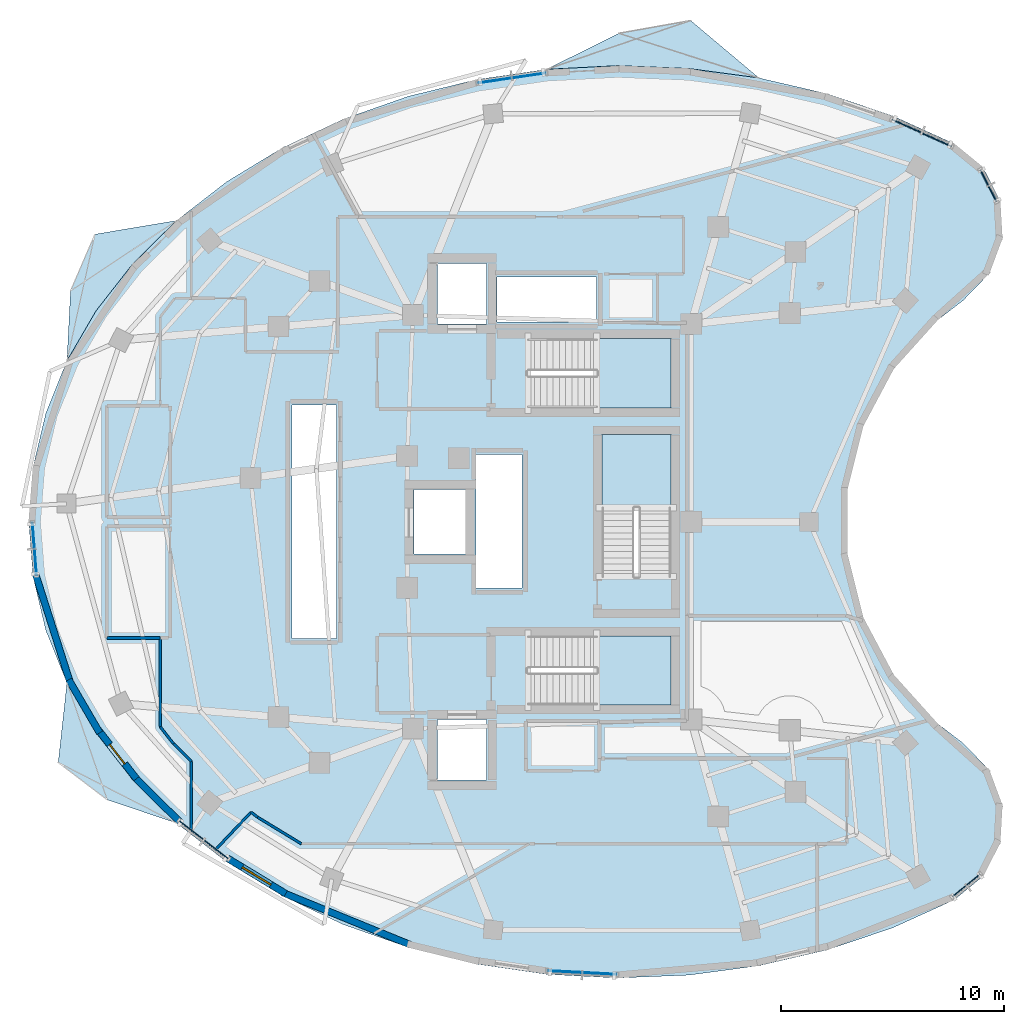
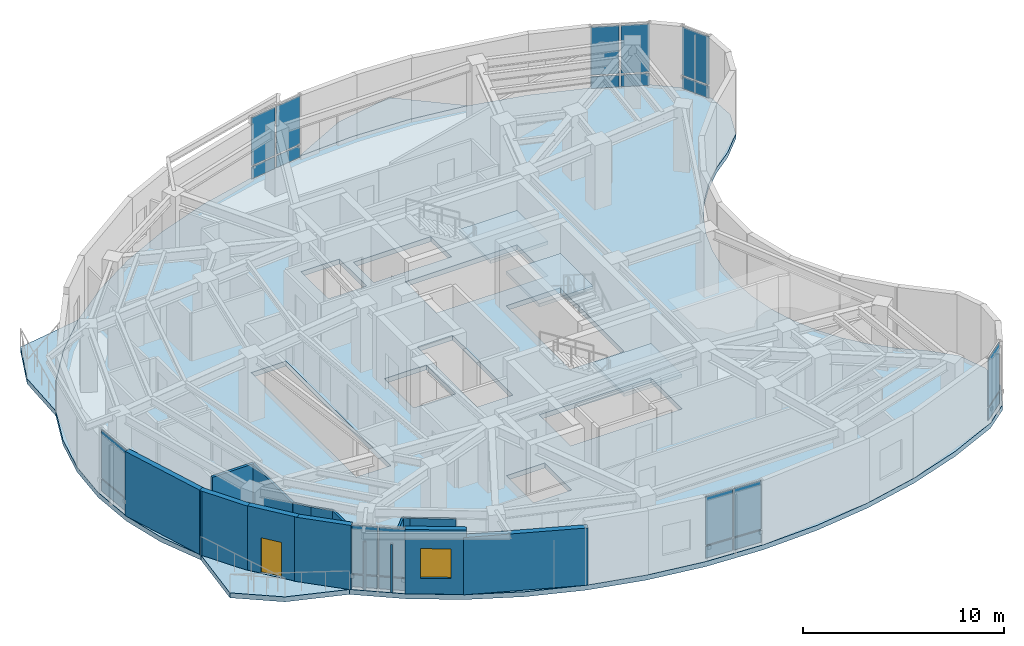
# One storey, part 6 of 13: 22 plates, 14 walls, 7 slabs, 1 door, 1 window, 2 openings, 10 elements without a shape of their own.
"""IFC4 building model written with IfcOpenShell, lengths in metres."""

from ifc_helpers import new_model, si_unit, direction, frame, frame_2d, origin, origin_2d, place, context, subcontext, project, spatial, polyline, rectangle, outline, extrude, material, layer, layer_set, type_object, element, fill, aggregate, save


model = new_model("IFC4")

# Units and contexts
model_context = context("Model", 3, precision=1e-05, world=origin(), true_north=direction((0.0, 1.0)))
body_context = subcontext(model_context, "Body", "Model", "MODEL_VIEW")
ifc_project = project(units=[si_unit("LENGTHUNIT", "METRE"), si_unit("AREAUNIT", "SQUARE_METRE"), si_unit("VOLUMEUNIT", "CUBIC_METRE"), si_unit("PLANEANGLEUNIT", "RADIAN"), si_unit("MASSUNIT", "GRAM", prefix="KILO")], contexts=[model_context])

# Site, building, storey
site_placement = place(None, origin())
site = spatial("IfcSite", under=ifc_project, at=site_placement, CompositionType="ELEMENT")
building_placement = place(site_placement, origin())
building = spatial("IfcBuilding", under=site, at=building_placement, Name="Korentha Bioscience Tower", CompositionType="ELEMENT")
storey_placement = place(building_placement, frame((0.0, 0.0, 268.800048828125)))
storey = spatial("IfcBuildingStorey", under=building, at=storey_placement, Name="L62", CompositionType="ELEMENT", Elevation=268.800048828125)

# Curtain wall, plates
ifc_material_1 = material(Name="Thermally Broken Aluminium Frame", Category="aluminium")
ifc_layer_1 = layer(ifc_material_1, 0.219970703125, Name="Thermally Broken Aluminium Frame")
ifc_layer_set_1 = layer_set([ifc_layer_1], Name="Thermally Broken Aluminium Frame (CW-T2)")
curtain_wall_type = type_object("IfcCurtainWallType", Name="Solar-Screened Lab Unitised Curtain Wall CW-T2", PredefinedType="USERDEFINED", material=ifc_layer_set_1)
curtain_wall_1_placement = place(storey_placement, origin())
curtain_wall_1 = element("IfcCurtainWall", 1, at=curtain_wall_1_placement, inside=storey, type_object=curtain_wall_type, Name="L62 Curtain Wall 01", ObjectType="UNITISED", PredefinedType="USERDEFINED")
ifc_material_2 = material(Name="Triple-Glazed Low-E Insulated Glass", Category="glass")
ifc_layer_2 = layer(ifc_material_2, 0.0439453125, Name="Triple-Glazed Low-E Insulated Glass")
ifc_layer_set_2 = layer_set([ifc_layer_2], Name="Triple-Glazed Low-E Insulated Glass (GL-44)")
plate_type = type_object("IfcPlateType", Name="Glazed Panel 44mm", PredefinedType="CURTAIN_PANEL", material=ifc_layer_set_2)
plate_1_placement = place(storey_placement, frame((48.554931640625, 44.091064453125, 0.08984375), z_axis=(0.0, 0.0, 1.0), x_axis=(-0.910604060449, 0.413279862918, 0.0)))
plate_1 = element("IfcPlate", 2, at=plate_1_placement, type_object=plate_type, Name="CW-L62-01 Bay 1 Glazed Panel 1", PredefinedType="CURTAIN_PANEL", context=body_context, shape_type="SweptSolid", body=[
    extrude(rectangle(XDim=1.41357421875, YDim=0.0439453125, at=origin_2d()), origin(), (0.0, 0.0, 1.0), 0.715087890625),
])
plate_2_placement = place(storey_placement, frame((48.554931640625, 44.091064453125, 0.89501953125), z_axis=(0.0, 0.0, 1.0), x_axis=(-0.910604060449, 0.413279862918, 0.0)))
plate_2 = element("IfcPlate", 3, at=plate_2_placement, type_object=plate_type, Name="CW-L62-01 Bay 1 Glazed Panel 2", PredefinedType="CURTAIN_PANEL", context=body_context, shape_type="SweptSolid", body=[
    extrude(rectangle(XDim=1.41357421875, YDim=0.0439453125, at=origin_2d()), origin(), (0.0, 0.0, 1.0), 2.9150390625),
])
plate_3_placement = place(storey_placement, frame((47.185791015625, 44.71240234375, 0.08984375), z_axis=(0.0, 0.0, 1.0), x_axis=(-0.910604060449, 0.413279862918, 0.0)))
plate_3 = element("IfcPlate", 4, at=plate_3_placement, type_object=plate_type, Name="CW-L62-01 Bay 2 Glazed Panel 1", PredefinedType="CURTAIN_PANEL", context=body_context, shape_type="SweptSolid", body=[
    extrude(rectangle(XDim=1.41357421875, YDim=0.0439453125, at=origin_2d()), origin(), (0.0, 0.0, 1.0), 0.715087890625),
])
plate_4_placement = place(storey_placement, frame((47.185791015625, 44.71240234375, 0.89501953125), z_axis=(0.0, 0.0, 1.0), x_axis=(-0.910604060449, 0.413279862918, 0.0)))
plate_4 = element("IfcPlate", 5, at=plate_4_placement, type_object=plate_type, Name="CW-L62-01 Bay 2 Glazed Panel 2", PredefinedType="CURTAIN_PANEL", context=body_context, shape_type="SweptSolid", body=[
    extrude(rectangle(XDim=1.41357421875, YDim=0.0439453125, at=origin_2d()), origin(), (0.0, 0.0, 1.0), 2.9150390625),
])
aggregate(curtain_wall_1, [plate_1, plate_2, plate_3, plate_4])

curtain_wall_2_placement = place(storey_placement, origin())
curtain_wall_2 = element("IfcCurtainWall", 6, at=curtain_wall_2_placement, inside=storey, type_object=curtain_wall_type, Name="L62 Curtain Wall 07", ObjectType="UNITISED", PredefinedType="USERDEFINED")
plate_5_placement = place(storey_placement, frame((30.309814453125, 46.9736328125, 0.08984375), z_axis=(0.0, 0.0, 1.0), x_axis=(-0.989459665324, -0.144808738328, 0.0)))
plate_5 = element("IfcPlate", 7, at=plate_5_placement, type_object=plate_type, Name="CW-L62-07 Bay 1 Glazed Panel 1", PredefinedType="CURTAIN_PANEL", context=body_context, shape_type="SweptSolid", body=[
    extrude(rectangle(XDim=1.489013671875, YDim=0.0439453125, at=origin_2d()), origin(), (0.0, 0.0, 1.0), 0.715087890625),
])
plate_6_placement = place(storey_placement, frame((30.309814453125, 46.9736328125, 0.89501953125), z_axis=(0.0, 0.0, 1.0), x_axis=(-0.989459665324, -0.144808738328, 0.0)))
plate_6 = element("IfcPlate", 8, at=plate_6_placement, type_object=plate_type, Name="CW-L62-07 Bay 1 Glazed Panel 2", PredefinedType="CURTAIN_PANEL", context=body_context, shape_type="SweptSolid", body=[
    extrude(rectangle(XDim=1.489013671875, YDim=0.0439453125, at=origin_2d()), origin(), (0.0, 0.0, 1.0), 2.9150390625),
])
plate_7_placement = place(storey_placement, frame((28.74755859375, 46.7451171875, 0.08984375), z_axis=(0.0, 0.0, 1.0), x_axis=(-0.989459665324, -0.144808738328, 0.0)))
plate_7 = element("IfcPlate", 9, at=plate_7_placement, type_object=plate_type, Name="CW-L62-07 Bay 2 Glazed Panel 1", PredefinedType="CURTAIN_PANEL", context=body_context, shape_type="SweptSolid", body=[
    extrude(rectangle(XDim=1.489013671875, YDim=0.0439453125, at=origin_2d()), origin(), (0.0, 0.0, 1.0), 0.715087890625),
])
plate_8_placement = place(storey_placement, frame((28.74755859375, 46.7451171875, 0.89501953125), z_axis=(0.0, 0.0, 1.0), x_axis=(-0.989459665324, -0.144808738328, 0.0)))
plate_8 = element("IfcPlate", 10, at=plate_8_placement, type_object=plate_type, Name="CW-L62-07 Bay 2 Glazed Panel 2", PredefinedType="CURTAIN_PANEL", context=body_context, shape_type="SweptSolid", body=[
    extrude(rectangle(XDim=1.489013671875, YDim=0.0439453125, at=origin_2d()), origin(), (0.0, 0.0, 1.0), 2.9150390625),
])
aggregate(curtain_wall_2, [plate_5, plate_6, plate_7, plate_8])

curtain_wall_3_placement = place(storey_placement, origin())
curtain_wall_3 = element("IfcCurtainWall", 11, at=curtain_wall_3_placement, inside=storey, type_object=curtain_wall_type, Name="L62 Curtain Wall 19", ObjectType="UNITISED", PredefinedType="USERDEFINED")
plate_9_placement = place(storey_placement, frame((8.164306640625, 25.7880859375, 0.08984375), z_axis=(0.0, 0.0, 1.0), x_axis=(0.078035250492, -0.996950600421, 0.0)))
plate_9 = element("IfcPlate", 12, at=plate_9_placement, type_object=plate_type, Name="CW-L62-19 Bay 1 Glazed Panel 1", PredefinedType="CURTAIN_PANEL", context=body_context, shape_type="SweptSolid", body=[
    extrude(rectangle(XDim=2.35595703125, YDim=0.0439453125, at=origin_2d()), origin(), (0.0, 0.0, 1.0), 0.715087890625),
])
plate_10_placement = place(storey_placement, frame((8.164306640625, 25.7880859375, 0.89501953125), z_axis=(0.0, 0.0, 1.0), x_axis=(0.078035250492, -0.996950600421, 0.0)))
plate_10 = element("IfcPlate", 13, at=plate_10_placement, type_object=plate_type, Name="CW-L62-19 Bay 1 Glazed Panel 2", PredefinedType="CURTAIN_PANEL", context=body_context, shape_type="SweptSolid", body=[
    extrude(rectangle(XDim=2.35595703125, YDim=0.0439453125, at=origin_2d()), origin(), (0.0, 0.0, 1.0), 2.9150390625),
])
aggregate(curtain_wall_3, [plate_9, plate_10])

curtain_wall_4_placement = place(storey_placement, origin())
curtain_wall_4 = element("IfcCurtainWall", 14, at=curtain_wall_4_placement, inside=storey, type_object=curtain_wall_type, Name="L62 Curtain Wall 25", ObjectType="UNITISED", PredefinedType="USERDEFINED")
plate_11_placement = place(storey_placement, frame((15.185791015625, 13.20751953125, 0.08984375), z_axis=(0.0, 0.0, 1.0), x_axis=(0.790487520139, -0.612478146961, 0.0)))
plate_11 = element("IfcPlate", 15, at=plate_11_placement, type_object=plate_type, Name="CW-L62-25 Bay 1 Glazed Panel 1", PredefinedType="CURTAIN_PANEL", context=body_context, shape_type="SweptSolid", body=[
    extrude(rectangle(XDim=1.326416015625, YDim=0.0439453125, at=origin_2d()), origin(), (0.0, 0.0, 1.0), 0.715087890625),
])
plate_12_placement = place(storey_placement, frame((15.185791015625, 13.20751953125, 0.89501953125), z_axis=(0.0, 0.0, 1.0), x_axis=(0.790487520139, -0.612478146961, 0.0)))
plate_12 = element("IfcPlate", 16, at=plate_12_placement, type_object=plate_type, Name="CW-L62-25 Bay 1 Glazed Panel 2", PredefinedType="CURTAIN_PANEL", context=body_context, shape_type="SweptSolid", body=[
    extrude(rectangle(XDim=1.326416015625, YDim=0.0439453125, at=origin_2d()), origin(), (0.0, 0.0, 1.0), 2.9150390625),
])
plate_13_placement = place(storey_placement, frame((16.305419921875, 12.33984375, 0.08984375), z_axis=(0.0, 0.0, 1.0), x_axis=(0.790487520139, -0.612478146961, 0.0)))
plate_13 = element("IfcPlate", 17, at=plate_13_placement, type_object=plate_type, Name="CW-L62-25 Bay 2 Glazed Panel 1", PredefinedType="CURTAIN_PANEL", context=body_context, shape_type="SweptSolid", body=[
    extrude(rectangle(XDim=1.326416015625, YDim=0.0439453125, at=origin_2d()), origin(), (0.0, 0.0, 1.0), 0.715087890625),
])
plate_14_placement = place(storey_placement, frame((16.305419921875, 12.33984375, 0.89501953125), z_axis=(0.0, 0.0, 1.0), x_axis=(0.790487520139, -0.612478146961, 0.0)))
plate_14 = element("IfcPlate", 18, at=plate_14_placement, type_object=plate_type, Name="CW-L62-25 Bay 2 Glazed Panel 2", PredefinedType="CURTAIN_PANEL", context=body_context, shape_type="SweptSolid", body=[
    extrude(rectangle(XDim=1.326416015625, YDim=0.0439453125, at=origin_2d()), origin(), (0.0, 0.0, 1.0), 2.9150390625),
])
aggregate(curtain_wall_4, [plate_11, plate_12, plate_13, plate_14])

curtain_wall_5_placement = place(storey_placement, origin())
curtain_wall_5 = element("IfcCurtainWall", 19, at=curtain_wall_5_placement, inside=storey, type_object=curtain_wall_type, Name="L62 Curtain Wall 31", ObjectType="UNITISED", PredefinedType="USERDEFINED")
plate_15_placement = place(storey_placement, frame((31.87939453125, 6.87109375, 0.08984375), z_axis=(0.0, 0.0, 1.0), x_axis=(0.998636113937, -0.052210266622, 0.0)))
plate_15 = element("IfcPlate", 20, at=plate_15_placement, type_object=plate_type, Name="CW-L62-31 Bay 1 Glazed Panel 1", PredefinedType="CURTAIN_PANEL", context=body_context, shape_type="SweptSolid", body=[
    extrude(rectangle(XDim=1.498779296875, YDim=0.0439453125, at=origin_2d()), origin(), (0.0, 0.0, 1.0), 0.715087890625),
])
plate_16_placement = place(storey_placement, frame((31.87939453125, 6.87109375, 0.89501953125), z_axis=(0.0, 0.0, 1.0), x_axis=(0.998636113937, -0.052210266622, 0.0)))
plate_16 = element("IfcPlate", 21, at=plate_16_placement, type_object=plate_type, Name="CW-L62-31 Bay 1 Glazed Panel 2", PredefinedType="CURTAIN_PANEL", context=body_context, shape_type="SweptSolid", body=[
    extrude(rectangle(XDim=1.498779296875, YDim=0.0439453125, at=origin_2d()), origin(), (0.0, 0.0, 1.0), 2.9150390625),
])
plate_17_placement = place(storey_placement, frame((33.466064453125, 6.7880859375, 0.08984375), z_axis=(0.0, 0.0, 1.0), x_axis=(0.998636113937, -0.052210266622, 0.0)))
plate_17 = element("IfcPlate", 22, at=plate_17_placement, type_object=plate_type, Name="CW-L62-31 Bay 2 Glazed Panel 1", PredefinedType="CURTAIN_PANEL", context=body_context, shape_type="SweptSolid", body=[
    extrude(rectangle(XDim=1.498779296875, YDim=0.0439453125, at=origin_2d()), origin(), (0.0, 0.0, 1.0), 0.715087890625),
])
plate_18_placement = place(storey_placement, frame((33.466064453125, 6.7880859375, 0.89501953125), z_axis=(0.0, 0.0, 1.0), x_axis=(0.998636113937, -0.052210266622, 0.0)))
plate_18 = element("IfcPlate", 23, at=plate_18_placement, type_object=plate_type, Name="CW-L62-31 Bay 2 Glazed Panel 2", PredefinedType="CURTAIN_PANEL", context=body_context, shape_type="SweptSolid", body=[
    extrude(rectangle(XDim=1.498779296875, YDim=0.0439453125, at=origin_2d()), origin(), (0.0, 0.0, 1.0), 2.9150390625),
])
aggregate(curtain_wall_5, [plate_15, plate_16, plate_17, plate_18])

curtain_wall_6_placement = place(storey_placement, origin())
curtain_wall_6 = element("IfcCurtainWall", 24, at=curtain_wall_6_placement, inside=storey, type_object=curtain_wall_type, Name="L62 Curtain Wall 37", ObjectType="UNITISED", PredefinedType="USERDEFINED")
plate_19_placement = place(storey_placement, frame((49.85986328125, 10.732177734375, 0.08984375), z_axis=(0.0, 0.0, 1.0), x_axis=(0.774235415138, 0.632897718393, 0.0)))
plate_19 = element("IfcPlate", 25, at=plate_19_placement, type_object=plate_type, Name="CW-L62-37 Bay 1 Glazed Panel 1", PredefinedType="CURTAIN_PANEL", context=body_context, shape_type="SweptSolid", body=[
    extrude(rectangle(XDim=1.581787109375, YDim=0.0439453125, at=origin_2d()), origin(), (0.0, 0.0, 1.0), 0.715087890625),
])
plate_20_placement = place(storey_placement, frame((49.85986328125, 10.732177734375, 0.89501953125), z_axis=(0.0, 0.0, 1.0), x_axis=(0.774235415138, 0.632897718393, 0.0)))
plate_20 = element("IfcPlate", 26, at=plate_20_placement, type_object=plate_type, Name="CW-L62-37 Bay 1 Glazed Panel 2", PredefinedType="CURTAIN_PANEL", context=body_context, shape_type="SweptSolid", body=[
    extrude(rectangle(XDim=1.581787109375, YDim=0.0439453125, at=origin_2d()), origin(), (0.0, 0.0, 1.0), 2.9150390625),
])
aggregate(curtain_wall_6, [plate_19, plate_20])

curtain_wall_7_placement = place(storey_placement, origin())
curtain_wall_7 = element("IfcCurtainWall", 27, at=curtain_wall_7_placement, inside=storey, type_object=curtain_wall_type, Name="L62 Curtain Wall 61", ObjectType="UNITISED", PredefinedType="USERDEFINED")
plate_21_placement = place(storey_placement, frame((50.8515625, 42.037841796875, 0.08984375), z_axis=(0.0, 0.0, 1.0), x_axis=(-0.454238686477, 0.890880023184, 0.0)))
plate_21 = element("IfcPlate", 28, at=plate_21_placement, type_object=plate_type, Name="CW-L62-61 Bay 1 Glazed Panel 1", PredefinedType="CURTAIN_PANEL", context=body_context, shape_type="SweptSolid", body=[
    extrude(rectangle(XDim=1.58154296875, YDim=0.0439453125, at=origin_2d()), origin(), (0.0, 0.0, 1.0), 0.715087890625),
])
plate_22_placement = place(storey_placement, frame((50.8515625, 42.037841796875, 0.89501953125), z_axis=(0.0, 0.0, 1.0), x_axis=(-0.454238686477, 0.890880023184, 0.0)))
plate_22 = element("IfcPlate", 29, at=plate_22_placement, type_object=plate_type, Name="CW-L62-61 Bay 1 Glazed Panel 2", PredefinedType="CURTAIN_PANEL", context=body_context, shape_type="SweptSolid", body=[
    extrude(rectangle(XDim=1.58154296875, YDim=0.0439453125, at=origin_2d()), origin(), (0.0, 0.0, 1.0), 2.9150390625),
])
aggregate(curtain_wall_7, [plate_21, plate_22])

# Slab
ifc_material_3 = material(Name="Concrete C50", Category="concrete")
ifc_layer_3 = layer(ifc_material_3, 0.300048828125, Name="Concrete C50")
ifc_layer_set_3 = layer_set([ifc_layer_3], Name="Concrete C50 (SL-L300)")
slab_type_1 = type_object("IfcSlabType", Name="Laboratory Vibration-Controlled Slab 300", PredefinedType="FLOOR", material=ifc_layer_set_3)
slab_1_placement = place(storey_placement, frame((0.0, 0.0, -0.300048828125)))
element("IfcSlab", 30, at=slab_1_placement, inside=storey, type_object=slab_type_1, Name="L62 Tower Structural Floor Slab", PredefinedType="FLOOR", context=body_context, shape_type="SweptSolid", body=[
    extrude(outline(polyline([(49.310302734375, 43.924072265625), (46.562744140625, 45.1708984375), (43.640380859375, 46.15576171875), (40.58544921875, 46.86376953125), (37.4423828125, 47.284912109375), (34.256103515625, 47.413330078125), (31.07275390625, 47.2470703125), (27.9384765625, 46.788330078125), (24.898193359375, 46.0439453125), (21.99609375, 45.0244140625), (19.27392578125, 43.744873046875), (16.771240234375, 42.223388671875), (14.52392578125, 40.482177734375), (12.564453125, 38.54638671875), (10.921142578125, 36.443603515625), (9.61767578125, 34.20458984375), (8.673095703125, 31.86181640625), (8.1005859375, 29.448486328125), (7.908935546875, 27.0), (8.1005859375, 24.551513671875), (8.673095703125, 22.13818359375), (9.61767578125, 19.79541015625), (10.921142578125, 17.556396484375), (12.564453125, 15.45361328125), (14.52392578125, 13.517822265625), (16.771240234375, 11.776611328125), (19.27392578125, 10.255126953125), (21.99609375, 8.9755859375), (24.898193359375, 7.9560546875), (27.9384765625, 7.211669921875), (31.07275390625, 6.7529296875), (34.256103515625, 6.586669921875), (37.4423828125, 6.715087890625), (40.58544921875, 7.13623046875), (43.640380859375, 7.84423828125), (46.562744140625, 8.8291015625), (49.310302734375, 10.075927734375), (50.6123046875, 11.140380859375), (51.3759765625, 12.638671875), (51.47265625, 14.3173828125), (50.8857421875, 15.893310546875), (49.714599609375, 17.10009765625), (48.55810546875, 17.98779296875), (47.51806640625, 19.009765625), (46.6103515625, 20.15087890625), (45.8486328125, 21.393798828125), (45.243896484375, 22.720703125), (44.8056640625, 24.111083984375), (44.539794921875, 25.544677734375), (44.450927734375, 27.0), (44.539794921875, 28.455322265625), (44.8056640625, 29.888916015625), (45.243896484375, 31.279296875), (45.8486328125, 32.606201171875), (46.6103515625, 33.84912109375), (47.51806640625, 34.990234375), (48.55810546875, 36.01220703125), (49.714599609375, 36.89990234375), (50.8857421875, 38.106689453125), (51.47265625, 39.6826171875), (51.3759765625, 41.361328125), (50.6123046875, 42.859619140625), (49.310302734375, 43.924072265625)]), holes=[polyline([(30.25, 32.10009765625), (36.64990234375, 32.10009765625), (36.64990234375, 35.199951171875), (30.25, 35.199951171875), (30.25, 32.10009765625)]), polyline([(30.25, 18.800048828125), (36.64990234375, 18.800048828125), (36.64990234375, 21.89990234375), (30.25, 21.89990234375), (30.25, 18.800048828125)]), polyline([(36.64990234375, 24.550048828125), (36.64990234375, 30.89990234375), (33.550048828125, 30.89990234375), (33.550048828125, 24.550048828125), (36.64990234375, 24.550048828125)]), polyline([(19.679931640625, 21.780029296875), (21.669921875, 21.780029296875), (21.669921875, 32.219970703125), (19.679931640625, 32.219970703125), (19.679931640625, 21.780029296875)]), polyline([(27.929931640625, 24.030029296875), (29.969970703125, 24.030029296875), (29.969970703125, 30.02001953125), (27.929931640625, 30.02001953125), (27.929931640625, 24.030029296875)]), polyline([(28.860107421875, 35.93994140625), (33.31005859375, 35.93994140625), (33.31005859375, 37.9599609375), (28.860107421875, 37.9599609375), (28.860107421875, 35.93994140625)]), polyline([(26.199951171875, 15.449951171875), (28.39990234375, 15.449951171875), (28.39990234375, 18.14990234375), (26.199951171875, 18.14990234375), (26.199951171875, 15.449951171875)]), polyline([(26.199951171875, 35.85009765625), (28.39990234375, 35.85009765625), (28.39990234375, 38.550048828125), (26.199951171875, 38.550048828125), (26.199951171875, 35.85009765625)]), polyline([(25.14990234375, 25.550048828125), (27.550048828125, 25.550048828125), (27.550048828125, 28.449951171875), (25.14990234375, 28.449951171875), (25.14990234375, 25.550048828125)])]), origin(), (0.0, 0.0, 1.0), 0.300048828125),
])

# Stair, slab
ifc_material_4 = material(Name="Precast Concrete C50", Category="concrete")
stair_type = type_object("IfcStairType", Name="Core Exit Dog-Leg Stair 1450", PredefinedType="HALF_TURN_STAIR", material=ifc_material_4)
stair_1_placement = place(storey_placement, origin())
stair_1 = element("IfcStair", 31, at=stair_1_placement, inside=storey, type_object=stair_type, Name="L62 Tower North Pressurized Exit Stair ST-1", PredefinedType="HALF_TURN_STAIR")
ifc_layer_4 = layer(ifc_material_3, 0.199951171875, Name="Concrete C50")
ifc_layer_set_4 = layer_set([ifc_layer_4], Name="Concrete C50 (SL-LND)")
slab_type_2 = type_object("IfcSlabType", Name="Landing Slab 200", PredefinedType="LANDING", material=ifc_layer_set_4)
slab_2_placement = place(storey_placement, frame((0.0, 0.0, 1.89990234375)))
slab_2 = element("IfcSlab", 32, at=slab_2_placement, type_object=slab_type_2, Name="ST-1 landing 1", PredefinedType="LANDING", context=body_context, shape_type="SweptSolid", body=[
    extrude(outline(polyline([(33.330078125, 32.10009765625), (36.64990234375, 32.10009765625), (36.64990234375, 35.199951171875), (33.330078125, 35.199951171875), (33.330078125, 32.10009765625)])), origin(), (0.0, 0.0, 1.0), 0.199951171875),
])
aggregate(stair_1, [slab_2])

stair_2_placement = place(storey_placement, origin())
stair_2 = element("IfcStair", 33, at=stair_2_placement, inside=storey, type_object=stair_type, Name="L62 Tower South Pressurized Exit Stair ST-2", PredefinedType="HALF_TURN_STAIR")
slab_3_placement = place(storey_placement, frame((0.0, 0.0, 1.89990234375)))
slab_3 = element("IfcSlab", 34, at=slab_3_placement, type_object=slab_type_2, Name="ST-2 landing 1", PredefinedType="LANDING", context=body_context, shape_type="SweptSolid", body=[
    extrude(outline(polyline([(33.330078125, 18.800048828125), (36.64990234375, 18.800048828125), (36.64990234375, 21.89990234375), (33.330078125, 21.89990234375), (33.330078125, 18.800048828125)])), origin(), (0.0, 0.0, 1.0), 0.199951171875),
])
aggregate(stair_2, [slab_3])

stair_3_placement = place(storey_placement, origin())
stair_3 = element("IfcStair", 35, at=stair_3_placement, inside=storey, type_object=stair_type, Name="L62 Tower Central Pressurized Exit Stair ST-3", PredefinedType="HALF_TURN_STAIR")
slab_4_placement = place(storey_placement, frame((0.0, 0.0, 1.89990234375)))
slab_4 = element("IfcSlab", 36, at=slab_4_placement, type_object=slab_type_2, Name="ST-3 landing 1", PredefinedType="LANDING", context=body_context, shape_type="SweptSolid", body=[
    extrude(outline(polyline([(36.64990234375, 27.6298828125), (36.64990234375, 30.89990234375), (33.550048828125, 30.89990234375), (33.550048828125, 27.6298828125), (36.64990234375, 27.6298828125)])), origin(), (0.0, 0.0, 1.0), 0.199951171875),
])
aggregate(stair_3, [slab_4])

# Slabs
ifc_layer_5 = layer(ifc_material_3, 0.300048828125, Name="Concrete C50")
ifc_layer_set_5 = layer_set([ifc_layer_5], Name="Concrete C50 (BS-240)")
slab_type_3 = type_object("IfcSlabType", Name="Sawtooth Sun-Ledge Balcony Slab 240", PredefinedType="USERDEFINED", material=ifc_layer_set_5)
slab_5_placement = place(storey_placement, frame((0.0, 0.0, -0.300048828125)))
element("IfcSlab", 37, at=slab_5_placement, inside=storey, type_object=slab_type_3, Name="L62 Sun-Ledge Balcony 01", ObjectType="BALCONY", PredefinedType="USERDEFINED", context=body_context, shape_type="SweptSolid", body=[
    extrude(outline(polyline([(31.07275390625, 47.2470703125), (34.256103515625, 47.413330078125), (37.4423828125, 47.284912109375), (40.58544921875, 46.86376953125), (37.52880859375, 49.433349609375), (34.314453125, 48.8623046875), (31.07275390625, 47.2470703125)])), origin(), (0.0, 0.0, 1.0), 0.300048828125),
])
slab_6_placement = place(storey_placement, frame((0.0, 0.0, -0.300048828125)))
element("IfcSlab", 38, at=slab_6_placement, inside=storey, type_object=slab_type_3, Name="L62 Sun-Ledge Balcony 02", ObjectType="BALCONY", PredefinedType="USERDEFINED", context=body_context, shape_type="SweptSolid", body=[
    extrude(outline(polyline([(9.61767578125, 34.20458984375), (10.921142578125, 36.443603515625), (12.564453125, 38.54638671875), (14.52392578125, 40.482177734375), (10.870361328125, 39.870361328125), (9.778564453125, 37.336669921875), (9.61767578125, 34.20458984375)])), origin(), (0.0, 0.0, 1.0), 0.300048828125),
])
slab_7_placement = place(storey_placement, frame((0.0, 0.0, -0.300048828125)))
element("IfcSlab", 39, at=slab_7_placement, inside=storey, type_object=slab_type_3, Name="L62 Sun-Ledge Balcony 03", ObjectType="BALCONY", PredefinedType="USERDEFINED", context=body_context, shape_type="SweptSolid", body=[
    extrude(outline(polyline([(14.52392578125, 13.517822265625), (12.564453125, 15.45361328125), (10.921142578125, 17.556396484375), (9.61767578125, 19.79541015625), (9.22705078125, 16.232421875), (11.421875, 14.560791015625), (14.52392578125, 13.517822265625)])), origin(), (0.0, 0.0, 1.0), 0.300048828125),
])

# Walls
ifc_material_5 = material(Name="Double-Stud Acoustic Gypsum", Category="gypsum")
ifc_layer_6 = layer(ifc_material_5, 0.14990234375, Name="Double-Stud Acoustic Gypsum")
ifc_layer_set_6 = layer_set([ifc_layer_6], Name="Double-Stud Acoustic Gypsum (IW-L150)")
wall_type_1 = type_object("IfcWallType", Name="Acoustic Laboratory Partition Wall 150", PredefinedType="PARTITIONING", material=ifc_layer_set_6)
wall_1_placement = place(storey_placement, frame((13.7900390625, 21.800048828125, 0.0), z_axis=(0.0, 0.0, 1.0), x_axis=(-1.0, 0.0, 0.0)))
element("IfcWall", 40, at=wall_1_placement, inside=storey, type_object=wall_type_1, Name="L62 Interior Partition 021", PredefinedType="PARTITIONING", context=body_context, shape_type="SweptSolid", body=[
    extrude(rectangle(XDim=2.39013671875, YDim=0.14990234375, at=frame_2d((1.195068359375, 0.0))), origin(), (0.0, 0.0, 1.0), 2.909912109375),
])
ifc_material_6 = material(Name="Fire-Rated Framed Glass", Category="glass")
ifc_layer_7 = layer(ifc_material_6, 0.110107421875, Name="Fire-Rated Framed Glass")
ifc_layer_set_7 = layer_set([ifc_layer_7], Name="Fire-Rated Framed Glass (IW-G110)")
wall_type_2 = type_object("IfcWallType", Name="Demountable Glazed Office Partition 110", PredefinedType="MOVABLE", material=ifc_layer_set_7)
wall_2_placement = place(storey_placement, frame((17.857666015625, 14.0087890625, 0.0), z_axis=(0.0, 0.0, 1.0), x_axis=(0.790486870827, -0.612478984986, 0.0)))
element("IfcWall", 41, at=wall_2_placement, inside=storey, type_object=wall_type_2, Name="L62 Interior Partition 028", PredefinedType="MOVABLE", context=body_context, shape_type="SweptSolid", body=[
    extrude(rectangle(XDim=0.370361328125, YDim=0.110107421875, at=frame_2d((0.18505859375, 0.0))), origin(), (0.0, 0.0, 1.0), 2.909912109375),
])
wall_3_placement = place(storey_placement, frame((18.1513671875, 13.781494140625, 0.0), z_axis=(0.0, 0.0, 1.0), x_axis=(0.854507101003, -0.519439711935, 0.0)))
element("IfcWall", 42, at=wall_3_placement, inside=storey, type_object=wall_type_2, Name="L62 Interior Partition 029", PredefinedType="MOVABLE", context=body_context, shape_type="SweptSolid", body=[
    extrude(rectangle(XDim=2.290771484375, YDim=0.110107421875, at=frame_2d((1.1455078125, 0.0))), origin(), (0.0, 0.0, 1.0), 2.909912109375),
])
wall_4_placement = place(storey_placement, frame((16.193115234375, 12.25146484375, 0.0), z_axis=(0.0, 0.0, 1.0), x_axis=(0.687683096997, 0.726010990347, 0.0)))
element("IfcWall", 43, at=wall_4_placement, inside=storey, type_object=wall_type_2, Name="L62 Interior Partition 031", PredefinedType="MOVABLE", context=body_context, shape_type="SweptSolid", body=[
    extrude(rectangle(XDim=2.42041015625, YDim=0.110107421875, at=frame_2d((1.210205078125, 0.0))), origin(), (0.0, 0.0, 1.0), 2.909912109375),
])
wall_5_placement = place(storey_placement, frame((13.7900390625, 21.7900390625, 0.0), z_axis=(0.0, 0.0, 1.0), x_axis=(0.0, -1.0, 0.0)))
element("IfcWall", 44, at=wall_5_placement, inside=storey, type_object=wall_type_2, Name="L62 Interior Partition 056", PredefinedType="MOVABLE", context=body_context, shape_type="SweptSolid", body=[
    extrude(rectangle(XDim=3.954833984375, YDim=0.110107421875, at=frame_2d((1.9775390625, 0.0))), origin(), (0.0, 0.0, 1.0), 2.909912109375),
])
wall_6_placement = place(storey_placement, frame((13.7919921875, 17.8291015625, 0.0), z_axis=(0.0, 0.0, 1.0), x_axis=(0.615841557122, -0.787870025145, 0.0)))
element("IfcWall", 45, at=wall_6_placement, inside=storey, type_object=wall_type_2, Name="L62 Interior Partition 057", PredefinedType="MOVABLE", context=body_context, shape_type="SweptSolid", body=[
    extrude(rectangle(XDim=0.95947265625, YDim=0.110107421875, at=frame_2d((0.479736328125, 0.0))), origin(), (0.0, 0.0, 1.0), 2.909912109375),
])
wall_7_placement = place(storey_placement, frame((14.383544921875, 17.072509765625, 0.0), z_axis=(0.0, 0.0, 1.0), x_axis=(0.711323037654, -0.702865233243, 0.0)))
element("IfcWall", 46, at=wall_7_placement, inside=storey, type_object=wall_type_2, Name="L62 Interior Partition 058", PredefinedType="MOVABLE", context=body_context, shape_type="SweptSolid", body=[
    extrude(rectangle(XDim=1.125732421875, YDim=0.110107421875, at=frame_2d((0.56298828125, 0.0))), origin(), (0.0, 0.0, 1.0), 2.909912109375),
])
wall_8_placement = place(storey_placement, frame((15.184326171875, 16.28125, 0.0), z_axis=(0.0, 0.0, 1.0), x_axis=(0.0, -1.0, 0.0)))
element("IfcWall", 47, at=wall_8_placement, inside=storey, type_object=wall_type_2, Name="L62 Interior Partition 059", PredefinedType="MOVABLE", context=body_context, shape_type="SweptSolid", body=[
    extrude(rectangle(XDim=3.17822265625, YDim=0.110107421875, at=frame_2d((1.589111328125, 0.0))), origin(), (0.0, 0.0, 1.0), 2.909912109375),
])

# Wall, opening, door
ifc_material_7 = material(Name="Honed Limestone Precast Concrete C40", Category="masonry")
ifc_layer_8 = layer(ifc_material_7, 0.300048828125, Name="Honed Limestone Precast Concrete C40")
ifc_layer_set_8 = layer_set([ifc_layer_8], Name="Honed Limestone Precast Concrete C40 (EW-ST300)")
wall_type_3 = type_object("IfcWallType", Name="Honed Limestone Cavity Spandrel Wall 300", PredefinedType="STANDARD", material=ifc_layer_set_8)
wall_9_placement = place(storey_placement, frame((11.01025390625, 17.7021484375, 0.0), z_axis=(0.0, 0.0, 1.0), x_axis=(0.615739179758, -0.787950038081, 0.0)))
wall_9 = element("IfcWall", 48, at=wall_9_placement, inside=storey, type_object=wall_type_3, Name="L62 Balcony Threshold Wall 03", PredefinedType="STANDARD", context=body_context, shape_type="SweptSolid", body=[
    extrude(rectangle(XDim=2.78857421875, YDim=0.300048828125, at=frame_2d((1.394287109375, 0.0))), origin(), (0.0, 0.0, 1.0), 3.89990234375),
])
opening_1_placement = place(wall_9_placement, frame((0.84423828125, 0.0, 0.0)))
opening_1 = element("IfcOpeningElement", 49, at=opening_1_placement, cuts=wall_9, Name="Opening BD-11L", PredefinedType="OPENING", context=body_context, shape_type="SweptSolid", body=[
    extrude(rectangle(XDim=1.10009765625, YDim=2.14990234375, at=frame_2d((0.550048828125, 1.074951171875))), frame((0.0, 0.1650390625, 0.0), z_axis=(0.0, -1.0, 0.0), x_axis=(1.0, 0.0, 0.0)), (0.0, 0.0, 1.0), 0.329833984375),
])
ifc_material_8 = material(Name="Thermally Broken Glazed Aluminium", Category="aluminium")
door_type = type_object("IfcDoorType", Name="Balcony Terrace Glazed Door 1100x2150 Left", OperationType="SINGLE_SWING_LEFT", PredefinedType="DOOR", material=ifc_material_8)
door_placement = place(opening_1_placement, origin())
door = element("IfcDoor", 50, at=door_placement, inside=storey, type_object=door_type, Name="L62 Balcony Access Door 03", OperationType="SINGLE_SWING_LEFT", OverallHeight=2.14990234375, OverallWidth=1.10009765625, PredefinedType="DOOR", context=body_context, shape_type="SweptSolid", body=[
    extrude(rectangle(XDim=1.10009765625, YDim=2.14990234375, at=frame_2d((0.550048828125, 1.074951171875))), frame((0.0, 0.02490234375, 0.0), z_axis=(0.0, -1.0, 0.0), x_axis=(1.0, 0.0, 0.0)), (0.0, 0.0, 1.0), 0.050048828125),
])
fill(opening_1, door)

# Wall, opening, window
wall_10_placement = place(storey_placement, frame((16.802978515625, 11.944580078125, 0.0), z_axis=(0.0, 0.0, 1.0), x_axis=(0.854482916714, -0.519479494344, 0.0)))
wall_10 = element("IfcWall", 51, at=wall_10_placement, inside=storey, type_object=wall_type_3, Name="L62 Honed Limestone Spandrel Wall 26", PredefinedType="STANDARD", context=body_context, shape_type="SweptSolid", body=[
    extrude(rectangle(XDim=3.049072265625, YDim=0.300048828125, at=frame_2d((1.5244140625, 0.0))), origin(), (0.0, 0.0, 1.0), 3.89990234375),
])
opening_2_placement = place(wall_10_placement, frame((0.7744140625, 0.0, 0.949951171875)))
opening_2 = element("IfcOpeningElement", 52, at=opening_2_placement, cuts=wall_10, Name="Opening WN-02", PredefinedType="OPENING", context=body_context, shape_type="SweptSolid", body=[
    extrude(rectangle(XDim=1.5, YDim=1.800048828125, at=frame_2d((0.75, 0.89990234375))), frame((0.0, 0.1650390625, 0.0), z_axis=(0.0, -1.0, 0.0), x_axis=(1.0, 0.0, 0.0)), (0.0, 0.0, 1.0), 0.329833984375),
])
ifc_material_9 = material(Name="Thermally Broken Aluminium Triple Glazing", Category="aluminium")
window_type = type_object("IfcWindowType", Name="Acoustic Operable Office Window 1500x1800", PartitioningType="DOUBLE_PANEL_VERTICAL", PredefinedType="WINDOW", material=ifc_material_9)
window_placement = place(opening_2_placement, origin())
window = element("IfcWindow", 53, at=window_placement, inside=storey, type_object=window_type, Name="L62 Facade Window 26", OverallHeight=1.800048828125, OverallWidth=1.5, PartitioningType="DOUBLE_PANEL_VERTICAL", PredefinedType="WINDOW", context=body_context, shape_type="SweptSolid", body=[
    extrude(rectangle(XDim=1.5, YDim=1.800048828125, at=frame_2d((0.75, 0.89990234375))), frame((0.0, 0.030029296875, 0.0), z_axis=(0.0, -1.0, 0.0), x_axis=(1.0, 0.0, 0.0)), (0.0, 0.0, 1.0), 0.06005859375),
])
fill(opening_2, window)

# Walls
wall_11_placement = place(storey_placement, frame((8.209716796875, 24.67041015625, 0.0), z_axis=(0.0, 0.0, 1.0), x_axis=(0.303876387353, -0.952711467974, 0.0)))
element("IfcWall", 54, at=wall_11_placement, inside=storey, type_object=wall_type_3, Name="L62 Limestone Perimeter Closure Wall 20", PredefinedType="STANDARD", context=body_context, shape_type="SweptSolid", body=[
    extrude(rectangle(XDim=5.15234375, YDim=0.300048828125, at=frame_2d((2.576171875, 0.0))), origin(), (0.0, 0.0, 1.0), 3.89990234375),
])
wall_12_placement = place(storey_placement, frame((9.698486328125, 19.934814453125, 0.0), z_axis=(0.0, 0.0, 1.0), x_axis=(0.503081648792, -0.864238887489, 0.0)))
element("IfcWall", 55, at=wall_12_placement, inside=storey, type_object=wall_type_3, Name="L62 Limestone Perimeter Closure Wall 22", PredefinedType="STANDARD", context=body_context, shape_type="SweptSolid", body=[
    extrude(rectangle(XDim=2.750732421875, YDim=0.300048828125, at=frame_2d((1.37548828125, 0.0))), origin(), (0.0, 0.0, 1.0), 3.89990234375),
])
wall_13_placement = place(storey_placement, frame((12.60595703125, 15.609619140625, 0.0), z_axis=(0.0, 0.0, 1.0), x_axis=(0.711366092533, -0.702821657602, 0.0)))
element("IfcWall", 56, at=wall_13_placement, inside=storey, type_object=wall_type_3, Name="L62 Limestone Perimeter Closure Wall 24", PredefinedType="STANDARD", context=body_context, shape_type="SweptSolid", body=[
    extrude(rectangle(XDim=2.91455078125, YDim=0.300048828125, at=frame_2d((1.457275390625, 0.0))), origin(), (0.0, 0.0, 1.0), 3.89990234375),
])
wall_14_placement = place(storey_placement, frame((19.2529296875, 10.4150390625, 0.0), z_axis=(0.0, 0.0, 1.0), x_axis=(0.925644837168, -0.378393492841, 0.0)))
element("IfcWall", 57, at=wall_14_placement, inside=storey, type_object=wall_type_3, Name="L62 Limestone Perimeter Closure Wall 27", PredefinedType="STANDARD", context=body_context, shape_type="SweptSolid", body=[
    extrude(rectangle(XDim=6.23583984375, YDim=0.300048828125, at=frame_2d((3.117919921875, 0.0))), origin(), (0.0, 0.0, 1.0), 3.469970703125),
])

save(model, "model.ifc")
